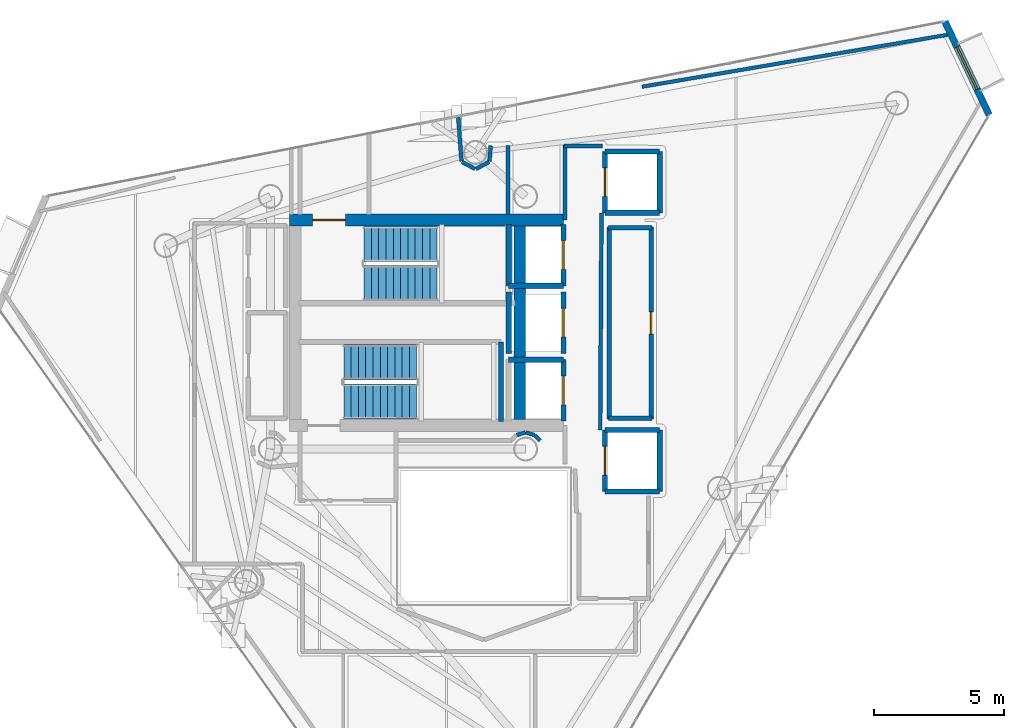
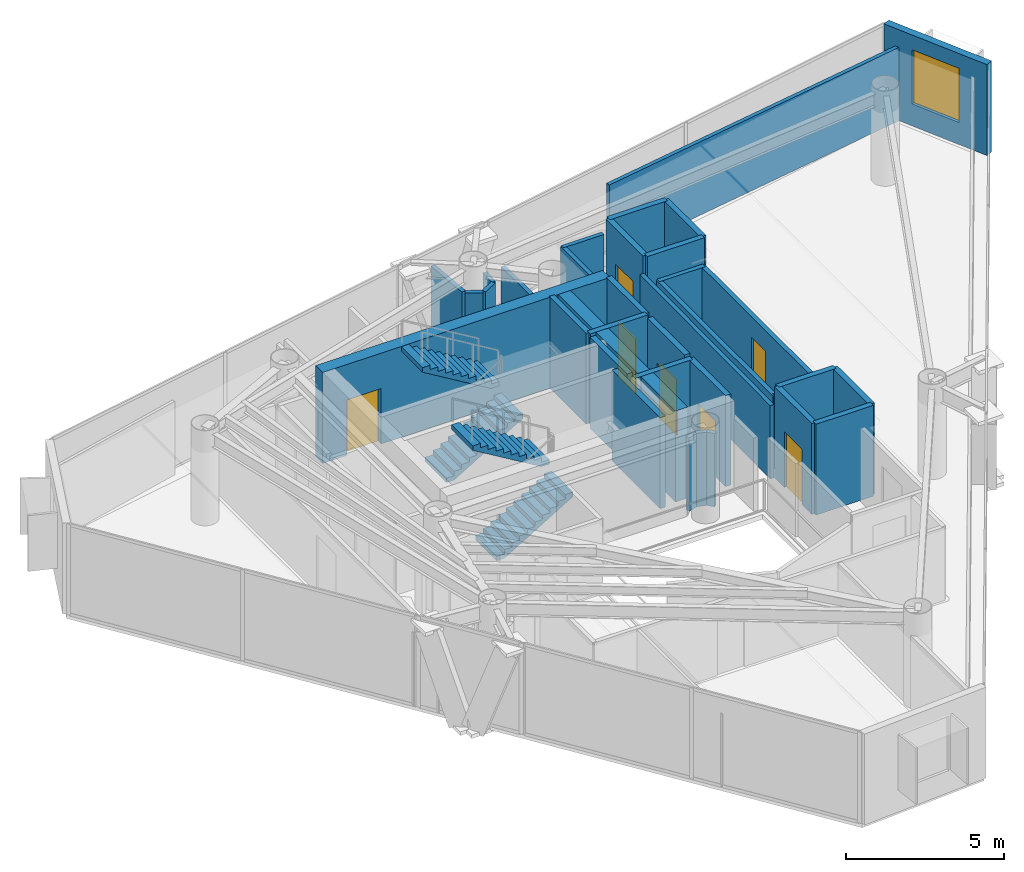
# One storey, part 19 of 22: 35 walls, 7 doors, 4 stair flights, 1 window, 8 openings, 2 elements without a shape of their own.
"""IFC4 building model written with IfcOpenShell, lengths in metres."""

from ifc_helpers import new_model, si_unit, direction, frame, frame_2d, origin, place, context, subcontext, project, spatial, polyline, rectangle, outline, extrude, material, layer, layer_set, type_object, element, fill, aggregate, save


model = new_model("IFC4")

# Units and contexts
model_context = context("Model", 3, precision=1e-05, world=origin(), true_north=direction((0.0, 1.0)))
body_context = subcontext(model_context, "Body", "Model", "MODEL_VIEW")
ifc_project = project(units=[si_unit("LENGTHUNIT", "METRE"), si_unit("AREAUNIT", "SQUARE_METRE"), si_unit("VOLUMEUNIT", "CUBIC_METRE"), si_unit("PLANEANGLEUNIT", "RADIAN"), si_unit("MASSUNIT", "GRAM", prefix="KILO")], contexts=[model_context])

# Site, building, storey
site_placement = place(None, origin())
site = spatial("IfcSite", under=ifc_project, at=site_placement, CompositionType="ELEMENT")
building_placement = place(site_placement, origin())
building = spatial("IfcBuilding", under=site, at=building_placement, Name="Qianvela Tower", CompositionType="ELEMENT")
storey_placement = place(building_placement, frame((0.0, 0.0, 299.10009765625)))
storey = spatial("IfcBuildingStorey", under=building, at=storey_placement, Name="L77", CompositionType="ELEMENT", Elevation=299.10009765625)

# Wall, opening, window
ifc_material_1 = material(Name="Terracotta Cladding on Concrete C40", Category="masonry")
ifc_layer_1 = layer(ifc_material_1, 0.260009765625)
ifc_layer_set_1 = layer_set([ifc_layer_1], Name="Terracotta Cladding on Concrete C40")
wall_type_1 = type_object("IfcWallType", Name="TERRACOTTA-WALL-260", PredefinedType="SOLIDWALL", material=ifc_layer_set_1)
wall_1_placement = place(storey_placement, frame((56.2001953125, 36.681884765625, 0.0), z_axis=(0.0, 0.0, 1.0), x_axis=(-0.427943552098, 0.903805463702, 0.0)))
wall_1 = element("IfcWall", 1, at=wall_1_placement, inside=storey, type_object=wall_type_1, Name="L77 Terracotta Chamfer Facet Wall 1", PredefinedType="SOLIDWALL", context=body_context, shape_type="SweptSolid", body=[
    extrude(rectangle(XDim=3.968994140625, YDim=0.260009765625, at=frame_2d((1.984375, 0.0))), origin(), (0.0, 0.0, 1.0), 3.52001953125),
])
opening_1_placement = place(wall_1_placement, frame((1.08447265625, 0.0, 0.85009765625)))
opening_1 = element("IfcOpeningElement", 2, at=opening_1_placement, cuts=wall_1, Name="Opening W-01", PredefinedType="OPENING", context=body_context, shape_type="SweptSolid", body=[
    extrude(rectangle(XDim=1.800048828125, YDim=2.10009765625, at=frame_2d((0.89990234375, 1.050048828125))), frame((0.0, 0.139892578125, 0.0), z_axis=(0.0, -1.0, 0.0), x_axis=(1.0, 0.0, 0.0)), (0.0, 0.0, 1.0), 0.280029296875),
])
ifc_material_2 = material(Name="Thermally Broken Aluminium and Low-E Glass", Category="aluminium")
window_type = type_object("IfcWindowType", Name="WIN-TC-1800x2100", PartitioningType="DOUBLE_PANEL_VERTICAL", PredefinedType="WINDOW", material=ifc_material_2)
window_placement = place(opening_1_placement, origin())
window = element("IfcWindow", 3, at=window_placement, inside=storey, type_object=window_type, Name="L77 Chamfer Facet Window 1.1", OverallHeight=2.10009765625, OverallWidth=1.800048828125, PartitioningType="SINGLE_PANEL", PredefinedType="WINDOW", context=body_context, shape_type="SweptSolid", body=[
    extrude(rectangle(XDim=1.800048828125, YDim=2.10009765625, at=frame_2d((0.89990234375, 1.050048828125))), frame((0.0, 0.030029296875, 0.0), z_axis=(0.0, -1.0, 0.0), x_axis=(1.0, 0.0, 0.0)), (0.0, 0.0, 1.0), 0.06005859375),
])
fill(opening_1, window)

# Wall, opening, door
ifc_material_3 = material(Name="Concrete C50", Category="concrete")
ifc_layer_2 = layer(ifc_material_3, 0.449951171875)
ifc_layer_set_2 = layer_set([ifc_layer_2], Name="Concrete C50")
wall_type_2 = type_object("IfcWallType", Name="WT-CORE-450", PredefinedType="SHEAR", material=ifc_layer_set_2)
wall_2_placement = place(storey_placement, frame((29.330078125, 32.64501953125, 0.0), z_axis=(0.0, 0.0, 1.0), x_axis=(1.0, 0.0, 0.0)))
wall_2 = element("IfcWall", 4, at=wall_2_placement, inside=storey, type_object=wall_type_2, Name="L77 North Core Shear Wall", PredefinedType="SHEAR", context=body_context, shape_type="SweptSolid", body=[
    extrude(rectangle(XDim=10.52001953125, YDim=0.449951171875, at=frame_2d((5.260009765625, 0.0))), origin(), (0.0, 0.0, 1.0), 3.52001953125),
])
opening_2_placement = place(wall_2_placement, frame((0.89501953125, 0.0, 0.0)))
opening_2 = element("IfcOpeningElement", 5, at=opening_2_placement, cuts=wall_2, Name="Opening D-ST1", PredefinedType="OPENING", context=body_context, shape_type="SweptSolid", body=[
    extrude(rectangle(XDim=1.25, YDim=2.14990234375, at=frame_2d((0.625, 1.074951171875))), frame((0.0, 0.23486328125, 0.0), z_axis=(0.0, -1.0, 0.0), x_axis=(1.0, 0.0, 0.0)), (0.0, 0.0, 1.0), 0.469970703125),
])
ifc_material_4 = material(Name="Galvanised Fire Steel Q355B", Category="steel")
door_type_1 = type_object("IfcDoorType", Name="DT-STAIR-FD90", OperationType="NOTDEFINED", PredefinedType="DOOR", material=ifc_material_4)
door_1_placement = place(opening_2_placement, origin())
door_1 = element("IfcDoor", 6, at=door_1_placement, inside=storey, type_object=door_type_1, Name="L77 Stair ST-1 Exit Door", OperationType="SINGLE_SWING_RIGHT", OverallHeight=2.14990234375, OverallWidth=1.25, PredefinedType="DOOR", context=body_context, shape_type="SweptSolid", body=[
    extrude(rectangle(XDim=1.25, YDim=2.14990234375, at=frame_2d((0.625, 1.074951171875))), frame((0.0, 0.02490234375, 0.0), z_axis=(0.0, -1.0, 0.0), x_axis=(1.0, 0.0, 0.0)), (0.0, 0.0, 1.0), 0.050048828125),
])
fill(opening_2, door_1)

# Walls
wall_3_placement = place(storey_placement, frame((38.179931640625, 24.97998046875, 0.0), z_axis=(0.0, 0.0, 1.0), x_axis=(0.0, 1.0, 0.0)))
element("IfcWall", 7, at=wall_3_placement, inside=storey, type_object=wall_type_2, Name="L77 East Spine Core Shear Wall", PredefinedType="SHEAR", context=body_context, shape_type="SweptSolid", body=[
    extrude(rectangle(XDim=7.43994140625, YDim=0.449951171875, at=frame_2d((3.719970703125, 0.0))), origin(), (0.0, 0.0, 1.0), 3.52001953125),
])
ifc_material_5 = material(Name="Fire-Rated Acoustic Gypsum Board")
ifc_layer_3 = layer(ifc_material_5, 0.14990234375)
ifc_layer_set_3 = layer_set([ifc_layer_3], Name="Fire-Rated Acoustic Gypsum Board")
wall_type_3 = type_object("IfcWallType", Name="WT-CORR-150", PredefinedType="PARTITIONING", material=ifc_layer_set_3)
wall_4_placement = place(storey_placement, frame((39.910888671875, 32.639892578125, 0.0), z_axis=(0.0, 0.0, 1.0), x_axis=(0.0, 1.0, 0.0)))
element("IfcWall", 8, at=wall_4_placement, inside=storey, type_object=wall_type_3, Name="L77 Partition 13", PredefinedType="PARTITIONING", context=body_context, shape_type="SweptSolid", body=[
    extrude(rectangle(XDim=2.880126953125, YDim=0.14990234375, at=frame_2d((1.43994140625, 0.0))), origin(), (0.0, 0.0, 1.0), 2.83984375),
])
wall_5_placement = place(storey_placement, frame((39.8798828125, 35.489013671875, 0.0), z_axis=(0.0, 0.0, 1.0), x_axis=(1.0, 0.0, 0.0)))
element("IfcWall", 9, at=wall_5_placement, inside=storey, type_object=wall_type_3, Name="L77 Partition 14", PredefinedType="PARTITIONING", context=body_context, shape_type="SweptSolid", body=[
    extrude(rectangle(XDim=1.480224609375, YDim=0.14990234375, at=frame_2d((0.740234375, 0.0))), origin(), (0.0, 0.0, 1.0), 2.83984375),
])
wall_6_placement = place(storey_placement, frame((41.3134765625, 32.919921875, 0.0), z_axis=(0.0, 0.0, 1.0), x_axis=(-0.005942518022, -0.999982343084, 0.0)))
element("IfcWall", 10, at=wall_6_placement, inside=storey, type_object=wall_type_3, Name="L77 Partition 15 seg 2", PredefinedType="PARTITIONING", context=body_context, shape_type="SweptSolid", body=[
    extrude(rectangle(XDim=8.340087890625, YDim=0.14990234375, at=frame_2d((4.169921875, 0.0))), origin(), (0.0, 0.0, 1.0), 2.83984375),
])
wall_7_placement = place(storey_placement, frame((38.950927734375, 24.1708984375, 0.0), z_axis=(0.0, 0.0, 1.0), x_axis=(-0.674186852077, 0.738560822469, 0.0)))
element("IfcWall", 11, at=wall_7_placement, inside=storey, type_object=wall_type_3, Name="L77 Partition 34", PredefinedType="PARTITIONING", context=body_context, shape_type="SweptSolid", body=[
    extrude(rectangle(XDim=0.28076171875, YDim=0.14990234375, at=frame_2d((0.140380859375, 0.0))), origin(), (0.0, 0.0, 1.0), 2.83984375),
])
wall_8_placement = place(storey_placement, frame((38.747802734375, 24.386962890625, 0.0), z_axis=(0.0, 0.0, 1.0), x_axis=(-0.956948991291, 0.290256142171, 0.0)))
element("IfcWall", 12, at=wall_8_placement, inside=storey, type_object=wall_type_3, Name="L77 Partition 35", PredefinedType="PARTITIONING", context=body_context, shape_type="SweptSolid", body=[
    extrude(rectangle(XDim=0.35400390625, YDim=0.14990234375, at=frame_2d((0.177001953125, 0.0))), origin(), (0.0, 0.0, 1.0), 2.83984375),
])
wall_9_placement = place(storey_placement, frame((38.39111328125, 24.48974609375, 0.0), z_axis=(0.0, 0.0, 1.0), x_axis=(-0.957007018611, -0.290064762301, 0.0)))
element("IfcWall", 13, at=wall_9_placement, inside=storey, type_object=wall_type_3, Name="L77 Partition 36", PredefinedType="PARTITIONING", context=body_context, shape_type="SweptSolid", body=[
    extrude(rectangle(XDim=0.354248046875, YDim=0.14990234375, at=frame_2d((0.17724609375, 0.0))), origin(), (0.0, 0.0, 1.0), 2.83984375),
])
wall_10_placement = place(storey_placement, frame((35.80908203125, 36.6533203125, 0.0), z_axis=(0.0, 0.0, 1.0), x_axis=(0.073400577202, -0.997302539487, 0.0)))
element("IfcWall", 14, at=wall_10_placement, inside=storey, type_object=wall_type_3, Name="L77 Partition 53", PredefinedType="PARTITIONING", context=body_context, shape_type="SweptSolid", body=[
    extrude(rectangle(XDim=1.756103515625, YDim=0.14990234375, at=frame_2d((0.8779296875, 0.0))), origin(), (0.0, 0.0, 1.0), 2.83984375),
])
for number, where, z_axis, x_axis, name in (
    (15, (35.9541015625, 34.876708984375, 0.0), (0.0, 0.0, 1.0), (0.882047254832, -0.471160949405, 0.0), "L77 Partition 54"),
    (16, (36.490478515625, 34.605712890625, 0.0), (0.0, 0.0, 1.0), (0.882047254832, 0.471160949405, 0.0), "L77 Partition 55"),
):
    element("IfcWall", number, at=place(storey_placement, frame(where, z_axis=z_axis, x_axis=x_axis)), inside=storey, type_object=wall_type_3, Name=name, PredefinedType="PARTITIONING", context=body_context, shape_type="SweptSolid", body=[
        extrude(rectangle(XDim=0.5751953125, YDim=0.14990234375, at=frame_2d((0.28759765625, 0.0))), origin(), (0.0, 0.0, 1.0), 2.83984375),
    ])
wall_11_placement = place(storey_placement, frame((37.01416015625, 34.90185546875, 0.0), z_axis=(0.0, 0.0, 1.0), x_axis=(0.073134230676, 0.997322106595, 0.0)))
element("IfcWall", 17, at=wall_11_placement, inside=storey, type_object=wall_type_3, Name="L77 Partition 56", PredefinedType="PARTITIONING", context=body_context, shape_type="SweptSolid", body=[
    extrude(rectangle(XDim=0.59765625, YDim=0.14990234375, at=frame_2d((0.298828125, 0.0))), origin(), (0.0, 0.0, 1.0), 2.83984375),
])
wall_12_placement = place(storey_placement, frame((37.718994140625, 35.5, 0.0), z_axis=(0.0, 0.0, 1.0), x_axis=(0.0, -1.0, 0.0)))
element("IfcWall", 18, at=wall_12_placement, inside=storey, type_object=wall_type_3, Name="L77 Partition 58", PredefinedType="PARTITIONING", context=body_context, shape_type="SweptSolid", body=[
    extrude(rectangle(XDim=2.64208984375, YDim=0.14990234375, at=frame_2d((1.321044921875, 0.0))), origin(), (0.0, 0.0, 1.0), 2.83984375),
])
ifc_material_6 = material(Name="Sanitary Service Chase Partition")
ifc_layer_4 = layer(ifc_material_6, 0.1650390625)
ifc_layer_set_4 = layer_set([ifc_layer_4], Name="Sanitary Service Chase Partition")
wall_type_4 = type_object("IfcWallType", Name="WT-PLUMB-165", PredefinedType="PLUMBINGWALL", material=ifc_layer_set_4)
wall_13_placement = place(storey_placement, frame((43.25, 25.031005859375, 0.0), z_axis=(0.0, 0.0, 1.0), x_axis=(-1.0, 0.0, 0.0)))
element("IfcWall", 19, at=wall_13_placement, inside=storey, type_object=wall_type_4, Name="L77 Partition 20", PredefinedType="PLUMBINGWALL", context=body_context, shape_type="SweptSolid", body=[
    extrude(rectangle(XDim=1.669921875, YDim=0.1650390625, at=frame_2d((0.8349609375, 0.0))), origin(), (0.0, 0.0, 1.0), 2.83984375),
])
wall_14_placement = place(storey_placement, frame((41.611083984375, 25.0, 0.0), z_axis=(0.0, 0.0, 1.0), x_axis=(0.0, 1.0, 0.0)))
element("IfcWall", 20, at=wall_14_placement, inside=storey, type_object=wall_type_4, Name="L77 Partition 21", PredefinedType="PLUMBINGWALL", context=body_context, shape_type="SweptSolid", body=[
    extrude(rectangle(XDim=7.3798828125, YDim=0.1650390625, at=frame_2d((3.68994140625, 0.0))), origin(), (0.0, 0.0, 1.0), 2.83984375),
])
wall_15_placement = place(storey_placement, frame((41.580078125, 32.34912109375, 0.0), z_axis=(0.0, 0.0, 1.0), x_axis=(1.0, 0.0, 0.0)))
element("IfcWall", 21, at=wall_15_placement, inside=storey, type_object=wall_type_4, Name="L77 Partition 22", PredefinedType="PLUMBINGWALL", context=body_context, shape_type="SweptSolid", body=[
    extrude(rectangle(XDim=1.669921875, YDim=0.1650390625, at=frame_2d((0.8349609375, 0.0))), origin(), (0.0, 0.0, 1.0), 2.83984375),
])

# Wall, opening, door
wall_16_placement = place(storey_placement, frame((43.218994140625, 32.3798828125, 0.0), z_axis=(0.0, 0.0, 1.0), x_axis=(0.0, -1.0, 0.0)))
wall_16 = element("IfcWall", 22, at=wall_16_placement, inside=storey, type_object=wall_type_4, Name="L77 Partition 23", PredefinedType="PLUMBINGWALL", context=body_context, shape_type="SweptSolid", body=[
    extrude(rectangle(XDim=7.3798828125, YDim=0.1650390625, at=frame_2d((3.68994140625, 0.0))), origin(), (0.0, 0.0, 1.0), 2.83984375),
])
opening_3_placement = place(wall_16_placement, frame((3.260009765625, 0.0, 0.0)))
opening_3 = element("IfcOpeningElement", 23, at=opening_3_placement, cuts=wall_16, Name="Opening D-WC1", PredefinedType="OPENING", context=body_context, shape_type="SweptSolid", body=[
    extrude(rectangle(XDim=0.860107421875, YDim=2.050048828125, at=frame_2d((0.43017578125, 1.02490234375))), frame((0.0, 0.092529296875, 0.0), z_axis=(0.0, -1.0, 0.0), x_axis=(1.0, 0.0, 0.0)), (0.0, 0.0, 1.0), 0.18505859375),
])
ifc_material_7 = material(Name="Moisture-Sealed Acoustic Timber Door", Category="wood")
door_type_2 = type_object("IfcDoorType", Name="DT-WC-860", OperationType="NOTDEFINED", PredefinedType="DOOR", material=ifc_material_7)
door_2_placement = place(opening_3_placement, origin())
door_2 = element("IfcDoor", 24, at=door_2_placement, inside=storey, type_object=door_type_2, Name="L77 Door L77 Accessible WC to Project Huddle Conference L77-02", OperationType="SINGLE_SWING_LEFT", OverallHeight=2.050048828125, OverallWidth=0.860107421875, PredefinedType="DOOR", context=body_context, shape_type="SweptSolid", body=[
    extrude(rectangle(XDim=0.860107421875, YDim=2.050048828125, at=frame_2d((0.43017578125, 1.02490234375))), frame((0.0, 0.02490234375, 0.0), z_axis=(0.0, -1.0, 0.0), x_axis=(1.0, 0.0, 0.0)), (0.0, 0.0, 1.0), 0.050048828125),
])
fill(opening_3, door_2)

# Walls
ifc_material_8 = material(Name="Acoustic Double Gypsum Stud Partition")
ifc_layer_5 = layer(ifc_material_8, 0.139892578125)
ifc_layer_set_5 = layer_set([ifc_layer_5], Name="Acoustic Double Gypsum Stud Partition")
wall_type_5 = type_object("IfcWallType", Name="WT-ROOM-140", PredefinedType="PARTITIONING", material=ifc_layer_set_5)
wall_17_placement = place(storey_placement, frame((42.866455078125, 37.761474609375, 0.0), z_axis=(0.0, 0.0, 1.0), x_axis=(0.985856850276, 0.16758959026, 0.0)))
element("IfcWall", 25, at=wall_17_placement, inside=storey, type_object=wall_type_5, Name="L77 Partition 99 seg 2", PredefinedType="PARTITIONING", context=body_context, shape_type="SweptSolid", body=[
    extrude(rectangle(XDim=12.057861328125, YDim=0.139892578125, at=frame_2d((6.02880859375, 0.0))), origin(), (0.0, 0.0, 1.0), 2.83984375),
])
ifc_material_9 = material(Name="Concrete C50", Category="concrete")
ifc_layer_6 = layer(ifc_material_9, 0.199951171875)
ifc_layer_set_6 = layer_set([ifc_layer_6], Name="Concrete C50")
wall_type_6 = type_object("IfcWallType", Name="WT-SHAFT-200", PredefinedType="SOLIDWALL", material=ifc_layer_set_6)
wall_18_placement = place(storey_placement, frame((37.449951171875, 24.89990234375, 0.0), z_axis=(0.0, 0.0, 1.0), x_axis=(0.0, 1.0, 0.0)))
element("IfcWall", 26, at=wall_18_placement, inside=storey, type_object=wall_type_6, Name="L77 Stair ST-2 East Wall", PredefinedType="SOLIDWALL", context=body_context, shape_type="SweptSolid", body=[
    extrude(rectangle(XDim=3.06005859375, YDim=0.199951171875, at=frame_2d((1.530029296875, 0.0))), origin(), (0.0, 0.0, 1.0), 3.52001953125),
])

# Wall, opening, door
wall_19_placement = place(storey_placement, frame((39.85009765625, 30.1201171875, 0.0), z_axis=(0.0, 0.0, 1.0), x_axis=(0.0, 1.0, 0.0)))
wall_19 = element("IfcWall", 27, at=wall_19_placement, inside=storey, type_object=wall_type_6, Name="L77 Lift FL-1 E Shaft Wall", PredefinedType="SOLIDWALL", context=body_context, shape_type="SweptSolid", body=[
    extrude(rectangle(XDim=2.35986328125, YDim=0.199951171875, at=frame_2d((1.179931640625, 0.0))), origin(), (0.0, 0.0, 1.0), 3.52001953125),
])
opening_4_placement = place(wall_19_placement, frame((0.6298828125, 0.0, 0.0)))
opening_4 = element("IfcOpeningElement", 28, at=opening_4_placement, cuts=wall_19, Name="Opening LD-01", PredefinedType="OPENING", context=body_context, shape_type="SweptSolid", body=[
    extrude(rectangle(XDim=1.10009765625, YDim=2.14990234375, at=frame_2d((0.550048828125, 1.074951171875))), frame((0.0, 0.10986328125, 0.0), z_axis=(0.0, -1.0, 0.0), x_axis=(1.0, 0.0, 0.0)), (0.0, 0.0, 1.0), 0.219970703125),
])
ifc_material_10 = material(Name="Brushed Stainless Steel Lift Landing Door", Category="steel")
door_type_3 = type_object("IfcDoorType", Name="DT-LIFT-SLIDE-1100", OperationType="SLIDING_TO_LEFT", PredefinedType="DOOR", material=ifc_material_10)
door_3_placement = place(opening_4_placement, origin())
door_3 = element("IfcDoor", 29, at=door_3_placement, inside=storey, type_object=door_type_3, Name="L77 Lift FL-1 Sliding Landing Door", OperationType="SLIDING_TO_LEFT", OverallHeight=2.14990234375, OverallWidth=1.10009765625, PredefinedType="DOOR", context=body_context, shape_type="SweptSolid", body=[
    extrude(rectangle(XDim=1.10009765625, YDim=2.14990234375, at=frame_2d((0.550048828125, 1.074951171875))), frame((0.0, 0.02490234375, 0.0), z_axis=(0.0, -1.0, 0.0), x_axis=(1.0, 0.0, 0.0)), (0.0, 0.0, 1.0), 0.050048828125),
])
fill(opening_4, door_3)

# Walls
wall_20_placement = place(storey_placement, frame((37.75, 30.1201171875, 0.0), z_axis=(0.0, 0.0, 1.0), x_axis=(0.0, 1.0, 0.0)))
element("IfcWall", 30, at=wall_20_placement, inside=storey, type_object=wall_type_6, Name="L77 Lift FL-1 W Shaft Wall", PredefinedType="SOLIDWALL", context=body_context, shape_type="SweptSolid", body=[
    extrude(rectangle(XDim=2.35986328125, YDim=0.199951171875, at=frame_2d((1.179931640625, 0.0))), origin(), (0.0, 0.0, 1.0), 3.52001953125),
])
wall_21_placement = place(storey_placement, frame((37.75, 30.1201171875, 0.0), z_axis=(0.0, 0.0, 1.0), x_axis=(1.0, 0.0, 0.0)))
element("IfcWall", 31, at=wall_21_placement, inside=storey, type_object=wall_type_6, Name="L77 Lift FL-1 S Shaft Wall", PredefinedType="SOLIDWALL", context=body_context, shape_type="SweptSolid", body=[
    extrude(rectangle(XDim=2.10009765625, YDim=0.199951171875, at=frame_2d((1.050048828125, 0.0))), origin(), (0.0, 0.0, 1.0), 3.52001953125),
])

# Wall, opening, door
wall_22_placement = place(storey_placement, frame((39.85009765625, 24.919921875, 0.0), z_axis=(0.0, 0.0, 1.0), x_axis=(0.0, 1.0, 0.0)))
wall_22 = element("IfcWall", 32, at=wall_22_placement, inside=storey, type_object=wall_type_6, Name="L77 Lift FL-2 E Shaft Wall", PredefinedType="SOLIDWALL", context=body_context, shape_type="SweptSolid", body=[
    extrude(rectangle(XDim=2.360107421875, YDim=0.199951171875, at=frame_2d((1.18017578125, 0.0))), origin(), (0.0, 0.0, 1.0), 3.52001953125),
])
opening_5_placement = place(wall_22_placement, frame((0.6298828125, 0.0, 0.0)))
opening_5 = element("IfcOpeningElement", 33, at=opening_5_placement, cuts=wall_22, Name="Opening LD-01", PredefinedType="OPENING", context=body_context, shape_type="SweptSolid", body=[
    extrude(rectangle(XDim=1.10009765625, YDim=2.14990234375, at=frame_2d((0.550048828125, 1.074951171875))), frame((0.0, 0.10986328125, 0.0), z_axis=(0.0, -1.0, 0.0), x_axis=(1.0, 0.0, 0.0)), (0.0, 0.0, 1.0), 0.219970703125),
])
door_4_placement = place(opening_5_placement, origin())
door_4 = element("IfcDoor", 34, at=door_4_placement, inside=storey, type_object=door_type_3, Name="L77 Lift FL-2 Sliding Landing Door", OperationType="SLIDING_TO_LEFT", OverallHeight=2.14990234375, OverallWidth=1.10009765625, PredefinedType="DOOR", context=body_context, shape_type="SweptSolid", body=[
    extrude(rectangle(XDim=1.10009765625, YDim=2.14990234375, at=frame_2d((0.550048828125, 1.074951171875))), frame((0.0, 0.02490234375, 0.0), z_axis=(0.0, -1.0, 0.0), x_axis=(1.0, 0.0, 0.0)), (0.0, 0.0, 1.0), 0.050048828125),
])
fill(opening_5, door_4)

# Wall
wall_23_placement = place(storey_placement, frame((37.75, 27.280029296875, 0.0), z_axis=(0.0, 0.0, 1.0), x_axis=(1.0, 0.0, 0.0)))
element("IfcWall", 35, at=wall_23_placement, inside=storey, type_object=wall_type_6, Name="L77 Lift FL-2 N Shaft Wall", PredefinedType="SOLIDWALL", context=body_context, shape_type="SweptSolid", body=[
    extrude(rectangle(XDim=2.10009765625, YDim=0.199951171875, at=frame_2d((1.050048828125, 0.0))), origin(), (0.0, 0.0, 1.0), 3.52001953125),
])

# Wall, opening, door
wall_24_placement = place(storey_placement, frame((39.85009765625, 27.52001953125, 0.0), z_axis=(0.0, 0.0, 1.0), x_axis=(0.0, 1.0, 0.0)))
wall_24 = element("IfcWall", 36, at=wall_24_placement, inside=storey, type_object=wall_type_6, Name="L77 Lift PL-H1 E Shaft Wall", PredefinedType="SOLIDWALL", context=body_context, shape_type="SweptSolid", body=[
    extrude(rectangle(XDim=2.35986328125, YDim=0.199951171875, at=frame_2d((1.179931640625, 0.0))), origin(), (0.0, 0.0, 1.0), 3.52001953125),
])
opening_6_placement = place(wall_24_placement, frame((0.6298828125, 0.0, 0.0)))
opening_6 = element("IfcOpeningElement", 37, at=opening_6_placement, cuts=wall_24, Name="Opening LD-01", PredefinedType="OPENING", context=body_context, shape_type="SweptSolid", body=[
    extrude(rectangle(XDim=1.10009765625, YDim=2.14990234375, at=frame_2d((0.550048828125, 1.074951171875))), frame((0.0, 0.10986328125, 0.0), z_axis=(0.0, -1.0, 0.0), x_axis=(1.0, 0.0, 0.0)), (0.0, 0.0, 1.0), 0.219970703125),
])
door_5_placement = place(opening_6_placement, origin())
door_5 = element("IfcDoor", 38, at=door_5_placement, inside=storey, type_object=door_type_3, Name="L77 Lift PL-H1 Sliding Landing Door", OperationType="SLIDING_TO_LEFT", OverallHeight=2.14990234375, OverallWidth=1.10009765625, PredefinedType="DOOR", context=body_context, shape_type="SweptSolid", body=[
    extrude(rectangle(XDim=1.10009765625, YDim=2.14990234375, at=frame_2d((0.550048828125, 1.074951171875))), frame((0.0, 0.02490234375, 0.0), z_axis=(0.0, -1.0, 0.0), x_axis=(1.0, 0.0, 0.0)), (0.0, 0.0, 1.0), 0.050048828125),
])
fill(opening_6, door_5)

# Walls
wall_25_placement = place(storey_placement, frame((37.75, 27.52001953125, 0.0), z_axis=(0.0, 0.0, 1.0), x_axis=(0.0, 1.0, 0.0)))
element("IfcWall", 39, at=wall_25_placement, inside=storey, type_object=wall_type_6, Name="L77 Lift PL-H1 W Shaft Wall", PredefinedType="SOLIDWALL", context=body_context, shape_type="SweptSolid", body=[
    extrude(rectangle(XDim=2.35986328125, YDim=0.199951171875, at=frame_2d((1.179931640625, 0.0))), origin(), (0.0, 0.0, 1.0), 3.52001953125),
])
wall_26_placement = place(storey_placement, frame((43.550048828125, 22.219970703125, 0.0), z_axis=(0.0, 0.0, 1.0), x_axis=(0.0, 1.0, 0.0)))
element("IfcWall", 40, at=wall_26_placement, inside=storey, type_object=wall_type_6, Name="L77 Lift PL-H2 E Shaft Wall", PredefinedType="SOLIDWALL", context=body_context, shape_type="SweptSolid", body=[
    extrude(rectangle(XDim=2.360107421875, YDim=0.199951171875, at=frame_2d((1.18017578125, 0.0))), origin(), (0.0, 0.0, 1.0), 3.52001953125),
])

# Wall, opening, door
wall_27_placement = place(storey_placement, frame((41.449951171875, 22.219970703125, 0.0), z_axis=(0.0, 0.0, 1.0), x_axis=(0.0, 1.0, 0.0)))
wall_27 = element("IfcWall", 41, at=wall_27_placement, inside=storey, type_object=wall_type_6, Name="L77 Lift PL-H2 W Shaft Wall", PredefinedType="SOLIDWALL", context=body_context, shape_type="SweptSolid", body=[
    extrude(rectangle(XDim=2.360107421875, YDim=0.199951171875, at=frame_2d((1.18017578125, 0.0))), origin(), (0.0, 0.0, 1.0), 3.52001953125),
])
opening_7_placement = place(wall_27_placement, frame((0.6298828125, 0.0, 0.0)))
opening_7 = element("IfcOpeningElement", 42, at=opening_7_placement, cuts=wall_27, Name="Opening LD-01", PredefinedType="OPENING", context=body_context, shape_type="SweptSolid", body=[
    extrude(rectangle(XDim=1.10009765625, YDim=2.14990234375, at=frame_2d((0.550048828125, 1.074951171875))), frame((0.0, 0.10986328125, 0.0), z_axis=(0.0, -1.0, 0.0), x_axis=(1.0, 0.0, 0.0)), (0.0, 0.0, 1.0), 0.219970703125),
])
door_6_placement = place(opening_7_placement, origin())
door_6 = element("IfcDoor", 43, at=door_6_placement, inside=storey, type_object=door_type_3, Name="L77 Lift PL-H2 Sliding Landing Door", OperationType="SLIDING_TO_LEFT", OverallHeight=2.14990234375, OverallWidth=1.10009765625, PredefinedType="DOOR", context=body_context, shape_type="SweptSolid", body=[
    extrude(rectangle(XDim=1.10009765625, YDim=2.14990234375, at=frame_2d((0.550048828125, 1.074951171875))), frame((0.0, 0.02490234375, 0.0), z_axis=(0.0, -1.0, 0.0), x_axis=(1.0, 0.0, 0.0)), (0.0, 0.0, 1.0), 0.050048828125),
])
fill(opening_7, door_6)

# Walls
for number, where, z_axis, x_axis, name in (
    (44, (41.449951171875, 24.580078125, 0.0), (0.0, 0.0, 1.0), (1.0, 0.0, 0.0), "L77 Lift PL-H2 N Shaft Wall"),
    (45, (41.449951171875, 22.219970703125, 0.0), (0.0, 0.0, 1.0), (1.0, 0.0, 0.0), "L77 Lift PL-H2 S Shaft Wall"),
):
    element("IfcWall", number, at=place(storey_placement, frame(where, z_axis=z_axis, x_axis=x_axis)), inside=storey, type_object=wall_type_6, Name=name, PredefinedType="SOLIDWALL", context=body_context, shape_type="SweptSolid", body=[
        extrude(rectangle(XDim=2.10009765625, YDim=0.199951171875, at=frame_2d((1.050048828125, 0.0))), origin(), (0.0, 0.0, 1.0), 3.52001953125),
    ])
wall_28_placement = place(storey_placement, frame((43.550048828125, 32.919921875, 0.0), z_axis=(0.0, 0.0, 1.0), x_axis=(0.0, 1.0, 0.0)))
element("IfcWall", 46, at=wall_28_placement, inside=storey, type_object=wall_type_6, Name="L77 Lift PL-H3 E Shaft Wall", PredefinedType="SOLIDWALL", context=body_context, shape_type="SweptSolid", body=[
    extrude(rectangle(XDim=2.360107421875, YDim=0.199951171875, at=frame_2d((1.18017578125, 0.0))), origin(), (0.0, 0.0, 1.0), 3.52001953125),
])

# Wall, opening, door
wall_29_placement = place(storey_placement, frame((41.449951171875, 32.919921875, 0.0), z_axis=(0.0, 0.0, 1.0), x_axis=(0.0, 1.0, 0.0)))
wall_29 = element("IfcWall", 47, at=wall_29_placement, inside=storey, type_object=wall_type_6, Name="L77 Lift PL-H3 W Shaft Wall", PredefinedType="SOLIDWALL", context=body_context, shape_type="SweptSolid", body=[
    extrude(rectangle(XDim=2.360107421875, YDim=0.199951171875, at=frame_2d((1.18017578125, 0.0))), origin(), (0.0, 0.0, 1.0), 3.52001953125),
])
opening_8_placement = place(wall_29_placement, frame((0.6298828125, 0.0, 0.0)))
opening_8 = element("IfcOpeningElement", 48, at=opening_8_placement, cuts=wall_29, Name="Opening LD-01", PredefinedType="OPENING", context=body_context, shape_type="SweptSolid", body=[
    extrude(rectangle(XDim=1.10009765625, YDim=2.14990234375, at=frame_2d((0.550048828125, 1.074951171875))), frame((0.0, 0.10986328125, 0.0), z_axis=(0.0, -1.0, 0.0), x_axis=(1.0, 0.0, 0.0)), (0.0, 0.0, 1.0), 0.219970703125),
])
door_7_placement = place(opening_8_placement, origin())
door_7 = element("IfcDoor", 49, at=door_7_placement, inside=storey, type_object=door_type_3, Name="L77 Lift PL-H3 Sliding Landing Door", OperationType="SLIDING_TO_LEFT", OverallHeight=2.14990234375, OverallWidth=1.10009765625, PredefinedType="DOOR", context=body_context, shape_type="SweptSolid", body=[
    extrude(rectangle(XDim=1.10009765625, YDim=2.14990234375, at=frame_2d((0.550048828125, 1.074951171875))), frame((0.0, 0.02490234375, 0.0), z_axis=(0.0, -1.0, 0.0), x_axis=(1.0, 0.0, 0.0)), (0.0, 0.0, 1.0), 0.050048828125),
])
fill(opening_8, door_7)

# Walls
for number, where, z_axis, x_axis, name in (
    (50, (41.449951171875, 35.280029296875, 0.0), (0.0, 0.0, 1.0), (1.0, 0.0, 0.0), "L77 Lift PL-H3 N Shaft Wall"),
    (51, (41.449951171875, 32.919921875, 0.0), (0.0, 0.0, 1.0), (1.0, 0.0, 0.0), "L77 Lift PL-H3 S Shaft Wall"),
):
    element("IfcWall", number, at=place(storey_placement, frame(where, z_axis=z_axis, x_axis=x_axis)), inside=storey, type_object=wall_type_6, Name=name, PredefinedType="SOLIDWALL", context=body_context, shape_type="SweptSolid", body=[
        extrude(rectangle(XDim=2.10009765625, YDim=0.199951171875, at=frame_2d((1.050048828125, 0.0))), origin(), (0.0, 0.0, 1.0), 3.52001953125),
    ])

# Stair, stair flights
ifc_material_11 = material(Name="Concrete C40", Category="concrete")
stair_type = type_object("IfcStairType", Name="ST-DOGLEG-1350-R168-N22", PredefinedType="HALF_TURN_STAIR", material=ifc_material_11)
stair_1_placement = place(storey_placement, origin())
stair_1 = element("IfcStair", 52, at=stair_1_placement, inside=storey, type_object=stair_type, Name="L77 Smoke-Proof Core Stair ST-1", PredefinedType="HALF_TURN_STAIR")
ifc_material_12 = material(Name="Concrete C40", Category="concrete")
stair_flight_type = type_object("IfcStairFlightType", Name="STF-STRAIGHT-R168-P11", PredefinedType="STRAIGHT", material=ifc_material_12)
stair_flight_1_placement = place(storey_placement, frame((32.199951171875, 30.215087890625, 0.0), z_axis=(0.0, 0.0, 1.0), x_axis=(1.0, 0.0, 0.0)))
stair_flight_1 = element("IfcStairFlight", 53, at=stair_flight_1_placement, type_object=stair_flight_type, Name="ST-1 flight 1", NumberOfRisers=11, NumberOfTreads=10, PredefinedType="STRAIGHT", RiserHeight=0.168181818, TreadLength=0.28, context=body_context, shape_type="SweptSolid", body=[
    extrude(outline(polyline([(0.0, 0.0), (0.0, 0.168212890625), (0.280029296875, 0.168212890625), (0.280029296875, 0.33642578125), (0.56005859375, 0.33642578125), (0.56005859375, 0.504638671875), (0.840087890625, 0.504638671875), (0.840087890625, 0.672607421875), (1.1201171875, 0.672607421875), (1.1201171875, 0.8408203125), (1.39990234375, 0.8408203125), (1.39990234375, 1.009033203125), (1.679931640625, 1.009033203125), (1.679931640625, 1.17724609375), (1.9599609375, 1.17724609375), (1.9599609375, 1.345458984375), (2.239990234375, 1.345458984375), (2.239990234375, 1.513671875), (2.52001953125, 1.513671875), (2.52001953125, 1.681884765625), (2.800048828125, 1.681884765625), (2.800048828125, 1.85009765625), (2.800048828125, 1.5068359375), (0.291015625, 0.0), (0.0, 0.0)])), frame((0.0, 0.675048828125, 0.0), z_axis=(0.0, -1.0, 0.0), x_axis=(1.0, 0.0, 0.0)), (0.0, 0.0, 1.0), 1.35009765625),
])
stair_flight_2_placement = place(storey_placement, frame((35.0, 31.72509765625, 1.849853515625), z_axis=(0.0, 0.0, 1.0), x_axis=(-1.0, 0.0, 0.0)))
stair_flight_2 = element("IfcStairFlight", 54, at=stair_flight_2_placement, type_object=stair_flight_type, Name="ST-1 flight 2", NumberOfRisers=11, NumberOfTreads=10, PredefinedType="STRAIGHT", RiserHeight=0.168181818, TreadLength=0.28, context=body_context, shape_type="SweptSolid", body=[
    extrude(outline(polyline([(0.0, 0.0), (0.0, 0.168212890625), (0.280029296875, 0.168212890625), (0.280029296875, 0.33642578125), (0.56005859375, 0.33642578125), (0.56005859375, 0.504638671875), (0.840087890625, 0.504638671875), (0.840087890625, 0.672607421875), (1.1201171875, 0.672607421875), (1.1201171875, 0.8408203125), (1.39990234375, 0.8408203125), (1.39990234375, 1.009033203125), (1.679931640625, 1.009033203125), (1.679931640625, 1.17724609375), (1.9599609375, 1.17724609375), (1.9599609375, 1.345458984375), (2.239990234375, 1.345458984375), (2.239990234375, 1.513671875), (2.52001953125, 1.513671875), (2.52001953125, 1.681884765625), (2.800048828125, 1.681884765625), (2.800048828125, 1.85009765625), (2.800048828125, 1.5068359375), (0.291015625, 0.0), (0.0, 0.0)])), frame((0.0, 0.675048828125, 0.0), z_axis=(0.0, -1.0, 0.0), x_axis=(1.0, 0.0, 0.0)), (0.0, 0.0, 1.0), 1.35009765625),
])
aggregate(stair_1, [stair_flight_1, stair_flight_2])

stair_2_placement = place(storey_placement, origin())
stair_2 = element("IfcStair", 55, at=stair_2_placement, inside=storey, type_object=stair_type, Name="L77 Smoke-Proof Core Stair ST-2", PredefinedType="HALF_TURN_STAIR")
stair_flight_3_placement = place(storey_placement, frame((31.419921875, 25.675048828125, 0.0), z_axis=(0.0, 0.0, 1.0), x_axis=(1.0, 0.0, 0.0)))
stair_flight_3 = element("IfcStairFlight", 56, at=stair_flight_3_placement, type_object=stair_flight_type, Name="ST-2 flight 1", NumberOfRisers=11, NumberOfTreads=10, PredefinedType="STRAIGHT", RiserHeight=0.168181818, TreadLength=0.28, context=body_context, shape_type="SweptSolid", body=[
    extrude(outline(polyline([(0.0, 0.0), (0.0, 0.168212890625), (0.280029296875, 0.168212890625), (0.280029296875, 0.33642578125), (0.56005859375, 0.33642578125), (0.56005859375, 0.504638671875), (0.840087890625, 0.504638671875), (0.840087890625, 0.672607421875), (1.1201171875, 0.672607421875), (1.1201171875, 0.8408203125), (1.39990234375, 0.8408203125), (1.39990234375, 1.009033203125), (1.679931640625, 1.009033203125), (1.679931640625, 1.17724609375), (1.9599609375, 1.17724609375), (1.9599609375, 1.345458984375), (2.239990234375, 1.345458984375), (2.239990234375, 1.513671875), (2.52001953125, 1.513671875), (2.52001953125, 1.681884765625), (2.800048828125, 1.681884765625), (2.800048828125, 1.85009765625), (2.800048828125, 1.5068359375), (0.291015625, 0.0), (0.0, 0.0)])), frame((0.0, 0.675048828125, 0.0), z_axis=(0.0, -1.0, 0.0), x_axis=(1.0, 0.0, 0.0)), (0.0, 0.0, 1.0), 1.35009765625),
])
stair_flight_4_placement = place(storey_placement, frame((34.219970703125, 27.18505859375, 1.849853515625), z_axis=(0.0, 0.0, 1.0), x_axis=(-1.0, 0.0, 0.0)))
stair_flight_4 = element("IfcStairFlight", 57, at=stair_flight_4_placement, type_object=stair_flight_type, Name="ST-2 flight 2", NumberOfRisers=11, NumberOfTreads=10, PredefinedType="STRAIGHT", RiserHeight=0.168181818, TreadLength=0.28, context=body_context, shape_type="SweptSolid", body=[
    extrude(outline(polyline([(0.0, 0.0), (0.0, 0.168212890625), (0.280029296875, 0.168212890625), (0.280029296875, 0.33642578125), (0.56005859375, 0.33642578125), (0.56005859375, 0.504638671875), (0.840087890625, 0.504638671875), (0.840087890625, 0.672607421875), (1.1201171875, 0.672607421875), (1.1201171875, 0.8408203125), (1.39990234375, 0.8408203125), (1.39990234375, 1.009033203125), (1.679931640625, 1.009033203125), (1.679931640625, 1.17724609375), (1.9599609375, 1.17724609375), (1.9599609375, 1.345458984375), (2.239990234375, 1.345458984375), (2.239990234375, 1.513671875), (2.52001953125, 1.513671875), (2.52001953125, 1.681884765625), (2.800048828125, 1.681884765625), (2.800048828125, 1.85009765625), (2.800048828125, 1.5068359375), (0.291015625, 0.0), (0.0, 0.0)])), frame((0.0, 0.675048828125, 0.0), z_axis=(0.0, -1.0, 0.0), x_axis=(1.0, 0.0, 0.0)), (0.0, 0.0, 1.0), 1.35009765625),
])
aggregate(stair_2, [stair_flight_3, stair_flight_4])

save(model, "model.ifc")
